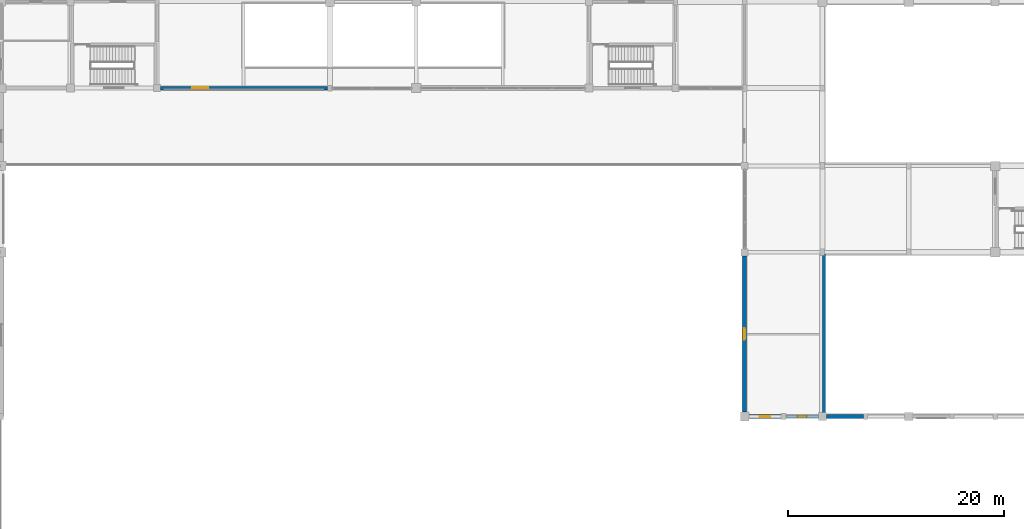
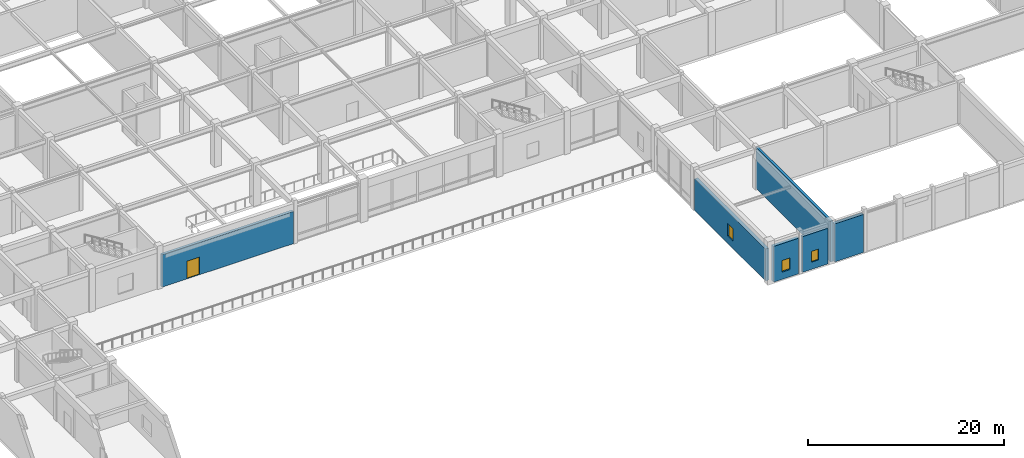
# One storey, part 23 of 36: 6 walls, 3 windows, 1 door, 4 openings.
"""IFC4 building model written with IfcOpenShell, lengths in metres."""

from ifc_helpers import new_model, si_unit, direction, frame, frame_2d, origin, place, context, subcontext, project, spatial, rectangle, extrude, material, layer, layer_set, type_object, element, fill, save


model = new_model("IFC4")

# Units and contexts
model_context = context("Model", 3, precision=1e-05, world=origin(), true_north=direction((0.0, 1.0)))
body_context = subcontext(model_context, "Body", "Model", "MODEL_VIEW")
ifc_project = project(units=[si_unit("LENGTHUNIT", "METRE"), si_unit("AREAUNIT", "SQUARE_METRE"), si_unit("VOLUMEUNIT", "CUBIC_METRE"), si_unit("PLANEANGLEUNIT", "RADIAN"), si_unit("MASSUNIT", "GRAM", prefix="KILO")], contexts=[model_context])

# Site, building, storey
site_placement = place(None, origin())
site = spatial("IfcSite", under=ifc_project, at=site_placement, CompositionType="ELEMENT")
building_placement = place(site_placement, origin())
building = spatial("IfcBuilding", under=site, at=building_placement, Name="Vellmiral Cinema and Media Centre", CompositionType="ELEMENT")
storey_placement = place(building_placement, frame((0.0, 0.0, 5.39990234375)))
storey = spatial("IfcBuildingStorey", under=building, at=storey_placement, Name="L01", CompositionType="ELEMENT", Elevation=5.39990234375)

# Wall
ifc_material_1 = material(Name="Concrete C40/50", Category="concrete")
ifc_layer_1 = layer(ifc_material_1, 0.300048828125, Name="Concrete C40/50")
ifc_layer_set_1 = layer_set([ifc_layer_1], Name="Concrete C40/50")
wall_type_1 = type_object("IfcWallType", Name="WL-CORE-300", PredefinedType="SHEAR", material=ifc_layer_set_1)
wall_1_placement = place(storey_placement, frame((124.14990234375, 12.800048828125, 0.0), z_axis=(0.0, 0.0, 1.0), x_axis=(0.0, 1.0, 0.0)))
element("IfcWall", 1, at=wall_1_placement, inside=storey, type_object=wall_type_1, Name="Cinema Screen 5 Acoustic Enclosure Wall L01-W1", PredefinedType="SHEAR", context=body_context, shape_type="SweptSolid", body=[
    extrude(rectangle(XDim=15.199951171875, YDim=0.300048828125, at=frame_2d((7.60009765625, 0.0))), origin(), (0.0, 0.0, 1.0), 5.10009765625),
])

# Wall, opening, door
ifc_material_2 = material(Name="Polychrome Glazed Ceramic Cladding", Category="masonry")
ifc_layer_2 = layer(ifc_material_2, 0.320068359375, Name="Polychrome Glazed Ceramic Cladding")
ifc_layer_set_2 = layer_set([ifc_layer_2], Name="Polychrome Glazed Ceramic Cladding")
wall_type_2 = type_object("IfcWallType", Name="WL-EXT-BRICK-320", PredefinedType="SOLIDWALL", material=ifc_layer_set_2)
wall_2_placement = place(storey_placement, frame((62.72509765625, 43.199951171875, 0.0), z_axis=(0.0, 0.0, 1.0), x_axis=(1.0, 0.0, 0.0)))
wall_2 = element("IfcWall", 2, at=wall_2_placement, inside=storey, type_object=wall_type_2, Name="Exterior Facade Wall L01-012", PredefinedType="SOLIDWALL", context=body_context, shape_type="SweptSolid", body=[
    extrude(rectangle(XDim=15.474853515625, YDim=0.320068359375, at=frame_2d((7.7373046875, 0.0))), origin(), (0.0, 0.0, 1.0), 4.025146484375),
])
opening_1_placement = place(wall_2_placement, frame((2.925048828125, 0.0, 0.0)))
opening_1 = element("IfcOpeningElement", 3, at=opening_1_placement, cuts=wall_2, Name="Opening DE-04", PredefinedType="OPENING", context=body_context, shape_type="SweptSolid", body=[
    extrude(rectangle(XDim=1.5, YDim=2.199951171875, at=frame_2d((0.75, 1.10009765625))), frame((0.0, 0.171875, 0.0), z_axis=(0.0, -1.0, 0.0), x_axis=(1.0, 0.0, 0.0)), (0.0, 0.0, 1.0), 0.343994140625),
])
ifc_material_3 = material(Name="Thermally Broken Glazed Aluminium and Bronze Door", Category="aluminium")
door_type = type_object("IfcDoorType", Name="DR-TER-1500x2200", OperationType="DOUBLE_DOOR_SINGLE_SWING", PredefinedType="DOOR", material=ifc_material_3)
door_placement = place(opening_1_placement, frame((1.5, 0.0, 0.0), z_axis=(0.0, 0.0, 1.0), x_axis=(-1.0, 0.0, 0.0)))
door = element("IfcDoor", 4, at=door_placement, inside=storey, type_object=door_type, Name="Upper Foyer Courtyard Gallery Terrace Door", OperationType="DOUBLE_DOOR_SINGLE_SWING", OverallHeight=2.199951171875, OverallWidth=1.5, PredefinedType="DOOR", context=body_context, shape_type="SweptSolid", body=[
    extrude(rectangle(XDim=1.5, YDim=2.199951171875, at=frame_2d((0.75, 1.10009765625))), frame((0.0, 0.02490234375, 0.0), z_axis=(0.0, -1.0, 0.0), x_axis=(1.0, 0.0, 0.0)), (0.0, 0.0, 1.0), 0.050048828125),
])
fill(opening_1, door)

# Wall, opening, window
wall_3_placement = place(storey_placement, frame((120.625, 12.800048828125, 0.0), z_axis=(0.0, 0.0, 1.0), x_axis=(1.0, 0.0, 0.0)))
wall_3 = element("IfcWall", 5, at=wall_3_placement, inside=storey, type_object=wall_type_2, Name="Exterior Facade Wall L01-021", PredefinedType="SOLIDWALL", context=body_context, shape_type="SweptSolid", body=[
    extrude(rectangle(XDim=3.0, YDim=0.320068359375, at=frame_2d((1.5, 0.0))), origin(), (0.0, 0.0, 1.0), 4.440185546875),
])
opening_2_placement = place(wall_3_placement, frame((1.074951171875, 0.0, 0.89990234375)))
opening_2 = element("IfcOpeningElement", 6, at=opening_2_placement, cuts=wall_3, Name="Opening WN-13", PredefinedType="OPENING", context=body_context, shape_type="SweptSolid", body=[
    extrude(rectangle(XDim=0.85009765625, YDim=1.35009765625, at=frame_2d((0.425048828125, 0.675048828125))), frame((0.0, 0.171875, 0.0), z_axis=(0.0, -1.0, 0.0), x_axis=(1.0, 0.0, 0.0)), (0.0, 0.0, 1.0), 0.343994140625),
])
ifc_material_4 = material(Name="Thermally Broken Aluminium Triple Glazing", Category="aluminium")
window_type_1 = type_object("IfcWindowType", Name="WN-0850x1350", PartitioningType="SINGLE_PANEL", PredefinedType="WINDOW", material=ifc_material_4)
window_1_placement = place(opening_2_placement, origin())
window_1 = element("IfcWindow", 7, at=window_1_placement, inside=storey, type_object=window_type_1, Name="Window L01-021", OverallHeight=1.35009765625, OverallWidth=0.85009765625, PartitioningType="SINGLE_PANEL", PredefinedType="WINDOW", context=body_context, shape_type="SweptSolid", body=[
    extrude(rectangle(XDim=0.85009765625, YDim=1.35009765625, at=frame_2d((0.425048828125, 0.675048828125))), frame((0.0, 0.030029296875, 0.0), z_axis=(0.0, -1.0, 0.0), x_axis=(1.0, 0.0, 0.0)), (0.0, 0.0, 1.0), 0.06005859375),
])
fill(opening_2, window_1)

ifc_material_5 = material(Name="Vosges Red Sandstone Masonry", Category="masonry")
ifc_layer_3 = layer(ifc_material_5, 0.3798828125, Name="Vosges Red Sandstone Masonry")
ifc_layer_set_3 = layer_set([ifc_layer_3], Name="Vosges Red Sandstone Masonry")
wall_type_3 = type_object("IfcWallType", Name="WL-EXT-SAND-380", PredefinedType="SOLIDWALL", material=ifc_layer_set_3)
wall_4_placement = place(storey_placement, frame((116.800048828125, 27.675048828125, 0.0), z_axis=(0.0, 0.0, 1.0), x_axis=(0.0, -1.0, 0.0)))
wall_4 = element("IfcWall", 8, at=wall_4_placement, inside=storey, type_object=wall_type_3, Name="Exterior Facade Wall L01-019", PredefinedType="SOLIDWALL", context=body_context, shape_type="SweptSolid", body=[
    extrude(rectangle(XDim=14.47509765625, YDim=0.3798828125, at=frame_2d((7.237548828125, 0.0))), origin(), (0.0, 0.0, 1.0), 3.97509765625),
])
opening_3_placement = place(wall_4_placement, frame((6.6875, 0.0, 0.89990234375)))
opening_3 = element("IfcOpeningElement", 9, at=opening_3_placement, cuts=wall_4, Name="Opening WN-11", PredefinedType="OPENING", context=body_context, shape_type="SweptSolid", body=[
    extrude(rectangle(XDim=1.10009765625, YDim=1.550048828125, at=frame_2d((0.550048828125, 0.77490234375))), frame((0.0, 0.201904296875, 0.0), z_axis=(0.0, -1.0, 0.0), x_axis=(1.0, 0.0, 0.0)), (0.0, 0.0, 1.0), 0.40380859375),
])
ifc_material_6 = material(Name="Thermally Broken Aluminium Triple Glazing", Category="aluminium")
window_type_2 = type_object("IfcWindowType", Name="WN-1100x1550", PartitioningType="SINGLE_PANEL", PredefinedType="WINDOW", material=ifc_material_6)
window_2_placement = place(opening_3_placement, origin())
window_2 = element("IfcWindow", 10, at=window_2_placement, inside=storey, type_object=window_type_2, Name="Window L01-019", OverallHeight=1.550048828125, OverallWidth=1.10009765625, PartitioningType="SINGLE_PANEL", PredefinedType="WINDOW", context=body_context, shape_type="SweptSolid", body=[
    extrude(rectangle(XDim=1.10009765625, YDim=1.550048828125, at=frame_2d((0.550048828125, 0.77490234375))), frame((0.0, 0.030029296875, 0.0), z_axis=(0.0, -1.0, 0.0), x_axis=(1.0, 0.0, 0.0)), (0.0, 0.0, 1.0), 0.06005859375),
])
fill(opening_3, window_2)

wall_5_placement = place(storey_placement, frame((117.199951171875, 12.800048828125, 0.0), z_axis=(0.0, 0.0, 1.0), x_axis=(1.0, 0.0, 0.0)))
wall_5 = element("IfcWall", 11, at=wall_5_placement, inside=storey, type_object=wall_type_3, Name="Exterior Facade Wall L01-020", PredefinedType="SOLIDWALL", context=body_context, shape_type="SweptSolid", body=[
    extrude(rectangle(XDim=2.97509765625, YDim=0.3798828125, at=frame_2d((1.487548828125, 0.0))), origin(), (0.0, 0.0, 1.0), 4.440185546875),
])
opening_4_placement = place(wall_5_placement, frame((1.012451171875, 0.0, 0.89990234375)))
opening_4 = element("IfcOpeningElement", 12, at=opening_4_placement, cuts=wall_5, Name="Opening WN-12", PredefinedType="OPENING", context=body_context, shape_type="SweptSolid", body=[
    extrude(rectangle(XDim=0.949951171875, YDim=1.449951171875, at=frame_2d((0.47509765625, 0.72509765625))), frame((0.0, 0.201904296875, 0.0), z_axis=(0.0, -1.0, 0.0), x_axis=(1.0, 0.0, 0.0)), (0.0, 0.0, 1.0), 0.40380859375),
])
ifc_material_7 = material(Name="Thermally Broken Aluminium Triple Glazing", Category="aluminium")
window_type_3 = type_object("IfcWindowType", Name="WN-0950x1450", PartitioningType="SINGLE_PANEL", PredefinedType="WINDOW", material=ifc_material_7)
window_3_placement = place(opening_4_placement, origin())
window_3 = element("IfcWindow", 13, at=window_3_placement, inside=storey, type_object=window_type_3, Name="Window L01-020", OverallHeight=1.449951171875, OverallWidth=0.949951171875, PartitioningType="SINGLE_PANEL", PredefinedType="WINDOW", context=body_context, shape_type="SweptSolid", body=[
    extrude(rectangle(XDim=0.949951171875, YDim=1.449951171875, at=frame_2d((0.47509765625, 0.72509765625))), frame((0.0, 0.030029296875, 0.0), z_axis=(0.0, -1.0, 0.0), x_axis=(1.0, 0.0, 0.0)), (0.0, 0.0, 1.0), 0.06005859375),
])
fill(opening_4, window_3)

# Wall
wall_6_placement = place(storey_placement, frame((124.375, 12.800048828125, 0.0), z_axis=(0.0, 0.0, 1.0), x_axis=(1.0, 0.0, 0.0)))
element("IfcWall", 14, at=wall_6_placement, inside=storey, type_object=wall_type_3, Name="Exterior Facade Wall L01-022", PredefinedType="SOLIDWALL", context=body_context, shape_type="SweptSolid", body=[
    extrude(rectangle(XDim=3.425048828125, YDim=0.3798828125, at=frame_2d((1.71240234375, 0.0))), origin(), (0.0, 0.0, 1.0), 4.735107421875),
])

save(model, "model.ifc")
